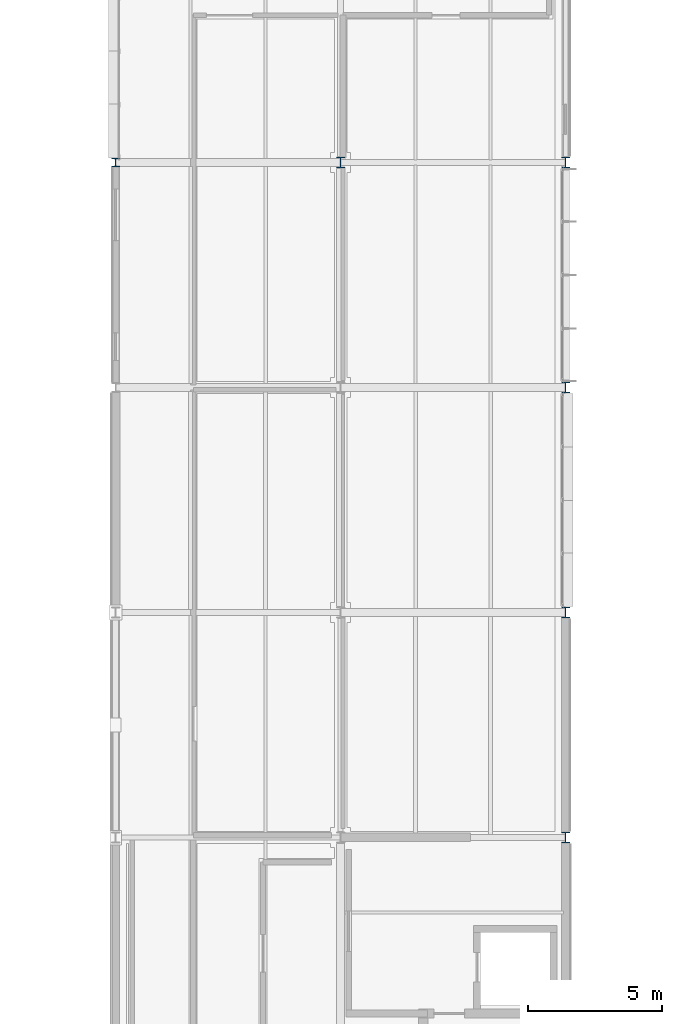
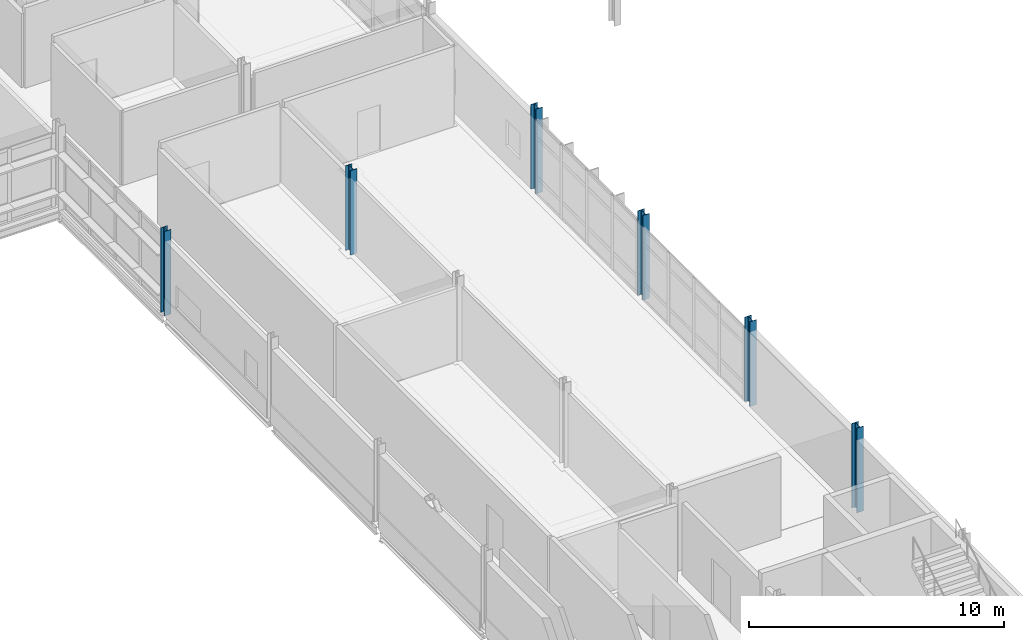
# One storey, part 12 of 131: 6 columns.
"""IFC4 building model written with IfcOpenShell, lengths in metres."""

from ifc_helpers import new_model, si_unit, direction, frame, origin, origin_2d, place, context, subcontext, project, spatial, i_section, extrude, material, material_profile, profile_set, type_object, element, save


model = new_model("IFC4")

# Units and contexts
model_context = context("Model", 3, precision=1e-05, world=origin(), true_north=direction((0.0, 1.0)))
body_context = subcontext(model_context, "Body", "Model", "MODEL_VIEW")
ifc_project = project(units=[si_unit("LENGTHUNIT", "METRE"), si_unit("AREAUNIT", "SQUARE_METRE"), si_unit("VOLUMEUNIT", "CUBIC_METRE"), si_unit("PLANEANGLEUNIT", "RADIAN"), si_unit("MASSUNIT", "GRAM", prefix="KILO")], contexts=[model_context])

# Site, building, storey
site_placement = place(None, origin())
site = spatial("IfcSite", under=ifc_project, at=site_placement, CompositionType="ELEMENT")
building_placement = place(site_placement, origin())
building = spatial("IfcBuilding", under=site, at=building_placement, Name="Mersafa Astral City Hall", CompositionType="ELEMENT")
storey_placement = place(building_placement, frame((0.0, 0.0, 13.949951171875)))
storey = spatial("IfcBuildingStorey", under=building, at=storey_placement, Name="L03", CompositionType="ELEMENT", Elevation=13.949951171875)

# Columns
ifc_material = material(Name="Steel S355", Category="steel")
ifc_material_profile_1 = material_profile(ifc_material, i_section(OverallWidth=0.300048828125, OverallDepth=0.300048828125, WebThickness=0.010986328125, FlangeThickness=0.01904296875, FilletRadius=0.027099609375, at=origin_2d()), Name="HEB 300")
ifc_profile_set_1 = profile_set([ifc_material_profile_1], Name="Steel S355")
column_type_1 = type_object("IfcColumnType", Name="STR-COL-HEB300", PredefinedType="COLUMN", material=ifc_profile_set_1)
column_placement = place(storey_placement, frame((159.60009765625, 92.39990234375, 0.0), z_axis=(0.0, 0.0, 1.0), x_axis=(1.0, 0.0, 0.0)))
element("IfcColumn", 1, at=column_placement, inside=storey, type_object=column_type_1, Name="L03 Structural column G-19-11", PredefinedType="COLUMN", context=body_context, shape_type="SweptSolid", body=[
    extrude(i_section(OverallWidth=0.300048828125, OverallDepth=0.300048828125, WebThickness=0.010986328125, FlangeThickness=0.01904296875, FilletRadius=0.027099609375, at=origin_2d()), origin(), (0.0, 0.0, 1.0), 4.050048828125),
])
ifc_material_profile_2 = material_profile(ifc_material, i_section(OverallWidth=0.300048828125, OverallDepth=0.39990234375, WebThickness=0.013427734375, FlangeThickness=0.02392578125, FilletRadius=0.027099609375, at=origin_2d()), Name="HEB 400")
ifc_profile_set_2 = profile_set([ifc_material_profile_2], Name="Steel S355")
column_type_2 = type_object("IfcColumnType", Name="STR-COL-HEB400", PredefinedType="COLUMN", material=ifc_profile_set_2)
for number, where, z_axis, x_axis, name in (
    (2, (168.0, 92.39990234375, 0.0), (0.0, 0.0, 1.0), (1.0, 0.0, 0.0), "L03 Structural column G-20-11"),
    (3, (176.39990234375, 67.199951171875, 0.0), (0.0, 0.0, 1.0), (1.0, 0.0, 0.0), "L03 Structural column G-21-08"),
    (4, (176.39990234375, 75.60009765625, 0.0), (0.0, 0.0, 1.0), (1.0, 0.0, 0.0), "L03 Structural column G-21-09"),
    (5, (176.39990234375, 84.0, 0.0), (0.0, 0.0, 1.0), (1.0, 0.0, 0.0), "L03 Structural column G-21-10"),
    (6, (176.39990234375, 92.39990234375, 0.0), (0.0, 0.0, 1.0), (1.0, 0.0, 0.0), "L03 Structural column G-21-11"),
):
    element("IfcColumn", number, at=place(storey_placement, frame(where, z_axis=z_axis, x_axis=x_axis)), inside=storey, type_object=column_type_2, Name=name, PredefinedType="COLUMN", context=body_context, shape_type="SweptSolid", body=[
        extrude(i_section(OverallWidth=0.300048828125, OverallDepth=0.39990234375, WebThickness=0.013427734375, FlangeThickness=0.02392578125, FilletRadius=0.027099609375, at=origin_2d()), origin(), (0.0, 0.0, 1.0), 4.050048828125),
    ])

save(model, "model.ifc")
